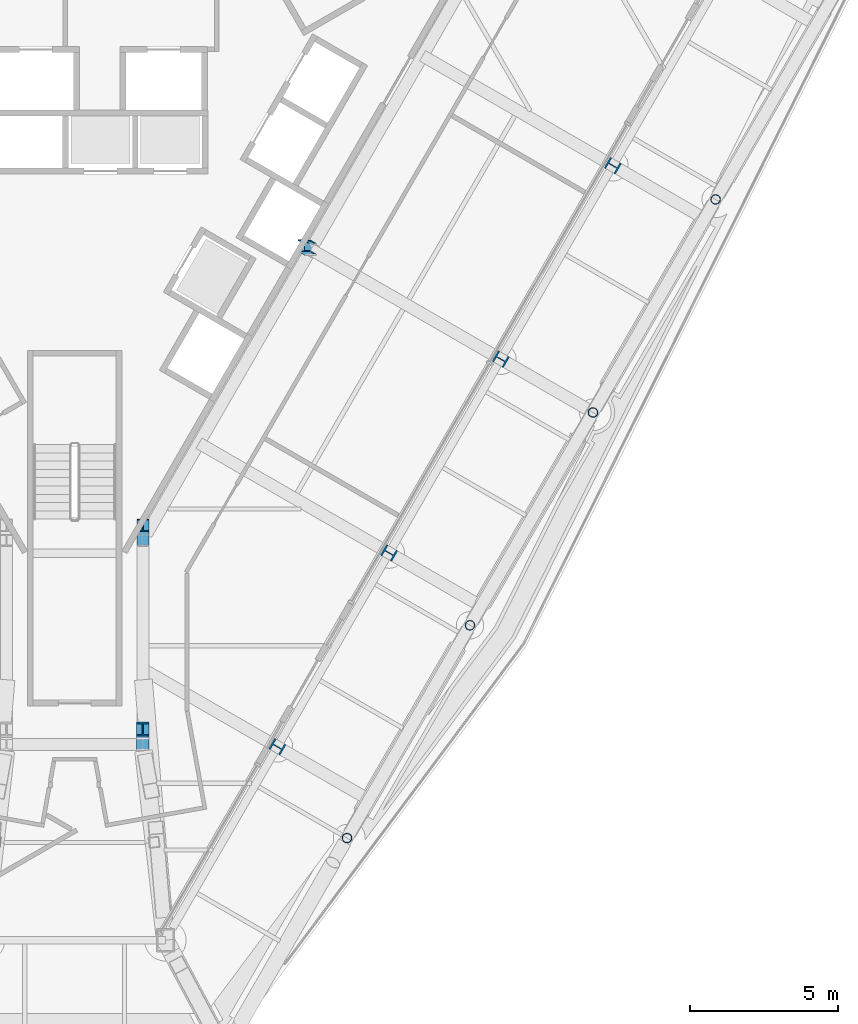
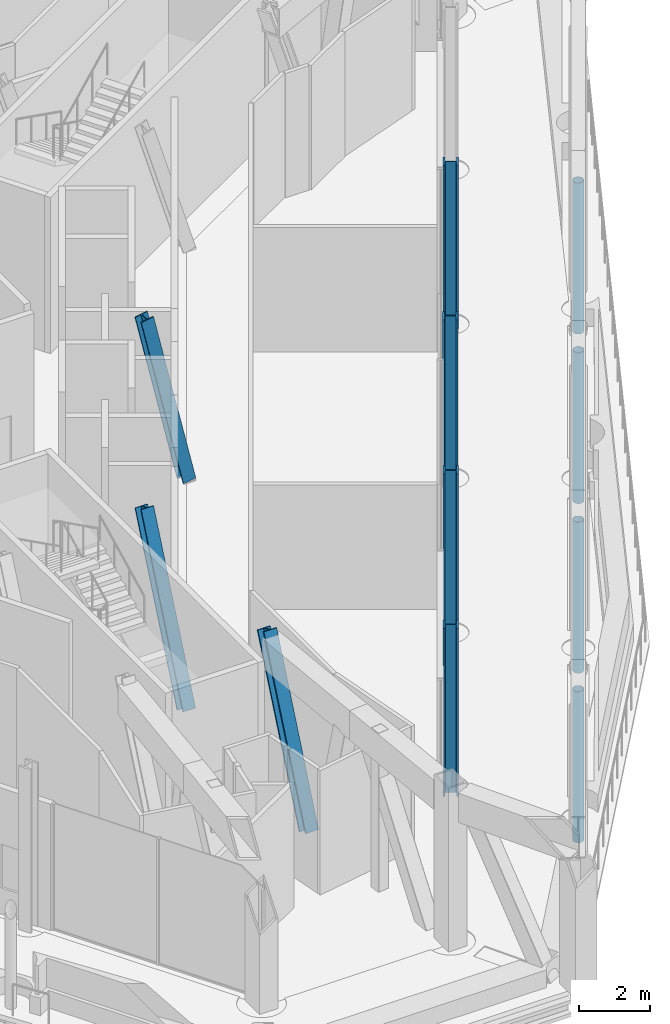
# One storey, part 2 of 25: 11 columns.
"""IFC4 building model written with IfcOpenShell, lengths in metres."""

from ifc_helpers import new_model, si_unit, direction, frame, origin, origin_2d, place, context, subcontext, project, spatial, hollow_circle, i_section, extrude, material, material_profile, profile_set, type_object, element, save


model = new_model("IFC4")

# Units and contexts
model_context = context("Model", 3, precision=1e-05, world=origin(), true_north=direction((0.0, 1.0)))
body_context = subcontext(model_context, "Body", "Model", "MODEL_VIEW")
ifc_project = project(units=[si_unit("LENGTHUNIT", "METRE"), si_unit("AREAUNIT", "SQUARE_METRE"), si_unit("VOLUMEUNIT", "CUBIC_METRE"), si_unit("PLANEANGLEUNIT", "RADIAN"), si_unit("MASSUNIT", "GRAM", prefix="KILO")], contexts=[model_context])

# Site, building, storey
site_placement = place(None, origin())
site = spatial("IfcSite", under=ifc_project, at=site_placement, CompositionType="ELEMENT")
building_placement = place(site_placement, origin())
building = spatial("IfcBuilding", under=site, at=building_placement, Name="Verrane Prism Tower", CompositionType="ELEMENT")
storey_placement = place(building_placement, frame((0.0, 0.0, 143.199951171875)))
storey = spatial("IfcBuildingStorey", under=building, at=storey_placement, Name="L35", CompositionType="ELEMENT", Elevation=143.199951171875)

# Columns
ifc_material_1 = material(Name="Steel A500 Grade C", Category="steel")
ifc_material_profile_1 = material_profile(ifc_material_1, hollow_circle(Radius=0.16259765625, WallThickness=0.0126953125, at=origin_2d()), Name="HSS12.750x0.500")
ifc_profile_set_1 = profile_set([ifc_material_profile_1], Name="Steel A500 Grade C")
column_type_1 = type_object("IfcColumnType", Name="Belt truss post HSS12.750x0.500", PredefinedType="COLUMN", material=ifc_profile_set_1)
for number, where, z_axis, x_axis, name in (
    (1, (9.18994140625, -24.4599609375, -0.72998046875), (0.0, 0.0, 1.0), (-0.5, -0.866025403784, 0.0), "Belt truss post L35"),
    (2, (13.340087890625, -17.280029296875, -0.72998046875), (0.0, 0.0, 1.0), (-0.5, -0.866025403784, 0.0), "Belt truss post L35"),
    (3, (17.489990234375, -10.10009765625, -0.72998046875), (0.0, 0.0, 1.0), (-0.5, -0.866025403784, 0.0), "Belt truss post L35"),
    (4, (21.6298828125, -2.909912109375, -0.72998046875), (0.0, 0.0, 1.0), (-0.5, -0.866025403784, 0.0), "Belt truss post L35"),
):
    element("IfcColumn", number, at=place(storey_placement, frame(where, z_axis=z_axis, x_axis=x_axis)), inside=storey, type_object=column_type_1, Name=name, PredefinedType="COLUMN", context=body_context, shape_type="SweptSolid", body=[
        extrude(hollow_circle(Radius=0.16259765625, WallThickness=0.0126953125, at=origin_2d()), origin(), (0.0, 0.0, 1.0), 5.169921875),
    ])
ifc_material_2 = material(Name="Steel A992", Category="steel")
ifc_material_profile_2 = material_profile(ifc_material_2, i_section(OverallWidth=0.411376953125, OverallDepth=0.434326171875, WebThickness=0.035888671875, FlangeThickness=0.057373046875, FilletRadius=0.01513671875, at=origin_2d()), Name="W14x311")
ifc_profile_set_2 = profile_set([ifc_material_profile_2], Name="Steel A992")
column_type_2 = type_object("IfcColumnType", Name="Core corner column W14x311", PredefinedType="COLUMN", material=ifc_profile_set_2)
column_1_placement = place(storey_placement, frame((2.300048828125, -21.2763671875, 0.054931640625), z_axis=(0.0, 0.3938946336, 0.919155600332), x_axis=(-1.0, 0.0, 0.0)))
element("IfcColumn", 5, at=column_1_placement, inside=storey, type_object=column_type_2, Name="Core corner column CK-Sp L35", PredefinedType="COLUMN", context=body_context, shape_type="SweptSolid", body=[
    extrude(i_section(OverallWidth=0.411376953125, OverallDepth=0.434326171875, WebThickness=0.035888671875, FlangeThickness=0.057373046875, FilletRadius=0.01513671875, at=origin_2d()), origin(), (0.0, 0.0, 1.0), 5.97314453125),
])
ifc_material_3 = material(Name="Steel A992", Category="steel")
ifc_material_profile_3 = material_profile(ifc_material_3, i_section(OverallWidth=0.4013671875, OverallDepth=0.398681640625, WebThickness=0.02490234375, FlangeThickness=0.03955078125, FilletRadius=0.01513671875, at=origin_2d()), Name="W14x211")
ifc_profile_set_3 = profile_set([ifc_material_profile_3], Name="Steel A992")
column_type_3 = type_object("IfcColumnType", Name="Core side column W14x211", PredefinedType="COLUMN", material=ifc_profile_set_3)
column_2_placement = place(storey_placement, frame((2.300048828125, -14.398681640625, 0.050048828125), z_axis=(0.0, 0.393924222714, 0.919142919659), x_axis=(1.0, 0.0, 0.0)))
element("IfcColumn", 6, at=column_2_placement, inside=storey, type_object=column_type_3, Name="Core side column CC-Sp L35", PredefinedType="COLUMN", context=body_context, shape_type="SweptSolid", body=[
    extrude(i_section(OverallWidth=0.4013671875, OverallDepth=0.398681640625, WebThickness=0.02490234375, FlangeThickness=0.03955078125, FilletRadius=0.01513671875, at=origin_2d()), origin(), (0.0, 0.0, 1.0), 5.98388671875),
])
column_3_placement = place(storey_placement, frame((7.962646484375, -4.595703125, 0.0400390625), z_axis=(-0.18158785929, 0.104740603763, 0.97778078079), x_axis=(0.983190410974, 8.7292444e-05, 0.182583154064)))
element("IfcColumn", 7, at=column_3_placement, inside=storey, type_object=column_type_3, Name="Core side column CC-SE0 L35", PredefinedType="COLUMN", context=body_context, shape_type="SweptSolid", body=[
    extrude(i_section(OverallWidth=0.4013671875, OverallDepth=0.398681640625, WebThickness=0.02490234375, FlangeThickness=0.03955078125, FilletRadius=0.01513671875, at=origin_2d()), origin(), (0.0, 0.0, 1.0), 5.6455078125),
])
ifc_material_4 = material(Name="Steel A992", Category="steel")
ifc_material_profile_4 = material_profile(ifc_material_4, i_section(OverallWidth=0.411376953125, OverallDepth=0.434326171875, WebThickness=0.035888671875, FlangeThickness=0.057373046875, FilletRadius=0.01513671875, at=origin_2d()), Name="W14x311")
ifc_profile_set_4 = profile_set([ifc_material_profile_4], Name="Steel A992")
column_type_4 = type_object("IfcColumnType", Name="Perimeter column W14x311", PredefinedType="COLUMN", material=ifc_profile_set_4)
for number, where, z_axis, x_axis, name in (
    (8, (6.840087890625, -21.3798828125, -0.159912109375), (0.0, 0.0, 1.0), (-0.5, -0.866025403784, 0.0), "Perimeter column PC-SE1 L35"),
    (9, (10.610107421875, -14.840087890625, -0.159912109375), (0.0, 0.0, 1.0), (-0.5, -0.866025403784, 0.0), "Perimeter column PC-SE2 L35"),
    (10, (14.3798828125, -8.300048828125, -0.159912109375), (0.0, 0.0, 1.0), (-0.5, -0.866025403784, 0.0), "Perimeter column PC-SE3 L35"),
    (11, (18.159912109375, -1.77001953125, -0.159912109375), (0.0, 0.0, 1.0), (-0.5, -0.866025403784, 0.0), "Perimeter column PC-SE4 L35"),
):
    element("IfcColumn", number, at=place(storey_placement, frame(where, z_axis=z_axis, x_axis=x_axis)), inside=storey, type_object=column_type_4, Name=name, PredefinedType="COLUMN", context=body_context, shape_type="SweptSolid", body=[
        extrude(i_section(OverallWidth=0.411376953125, OverallDepth=0.434326171875, WebThickness=0.035888671875, FlangeThickness=0.057373046875, FilletRadius=0.01513671875, at=origin_2d()), origin(), (0.0, 0.0, 1.0), 5.760009765625),
    ])

save(model, "model.ifc")
